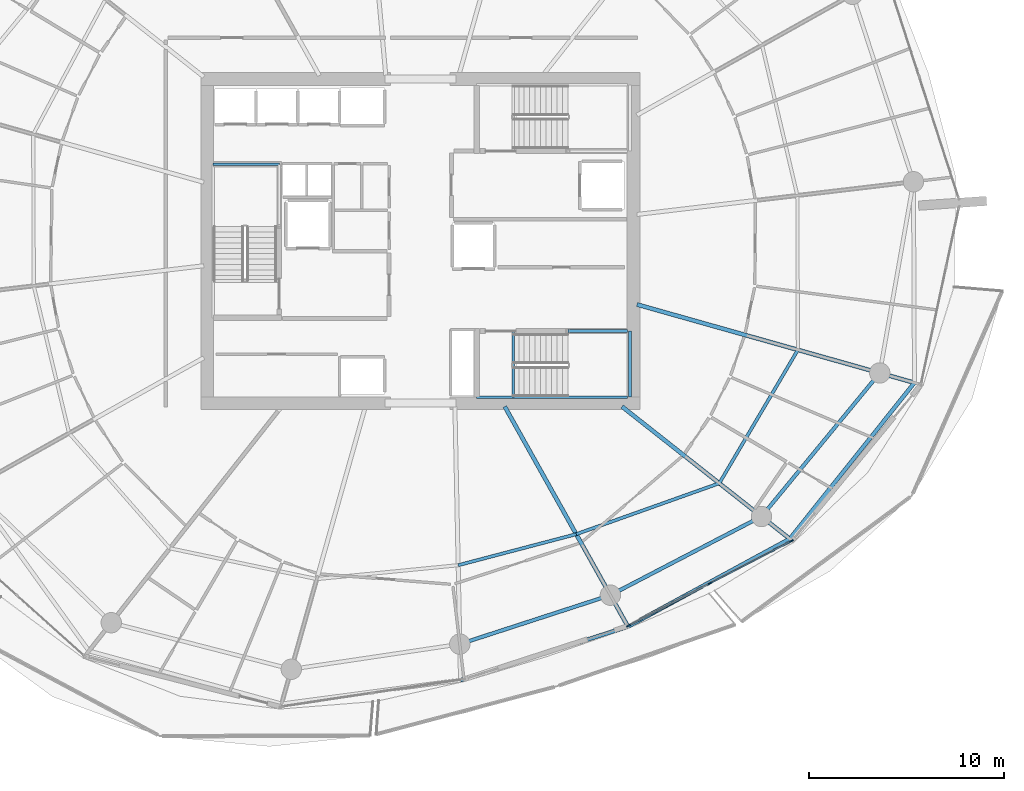
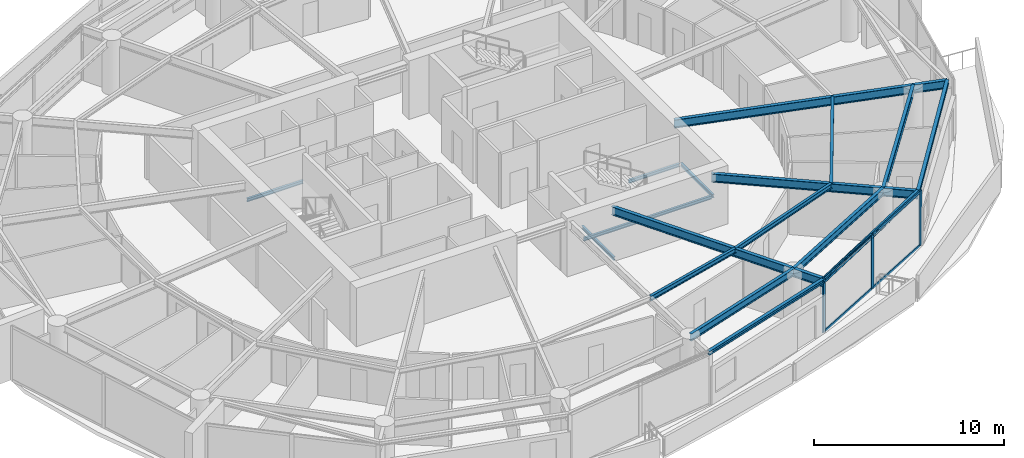
# One storey, part 6 of 20: 17 beams, 7 members, 1 element without a shape of its own.
"""IFC4 building model written with IfcOpenShell, lengths in metres."""

from ifc_helpers import new_model, si_unit, direction, frame, origin, origin_2d, place, context, subcontext, project, spatial, rectangle, i_section, extrude, material, layer, layer_set, material_profile, profile_set, type_object, element, aggregate, save


model = new_model("IFC4")

# Units and contexts
model_context = context("Model", 3, precision=1e-05, world=origin(), true_north=direction((0.0, 1.0)))
body_context = subcontext(model_context, "Body", "Model", "MODEL_VIEW")
ifc_project = project(units=[si_unit("LENGTHUNIT", "METRE"), si_unit("AREAUNIT", "SQUARE_METRE"), si_unit("VOLUMEUNIT", "CUBIC_METRE"), si_unit("PLANEANGLEUNIT", "RADIAN"), si_unit("MASSUNIT", "GRAM", prefix="KILO")], contexts=[model_context])

# Site, building, storey
site_placement = place(None, origin())
site = spatial("IfcSite", under=ifc_project, at=site_placement, CompositionType="ELEMENT")
building_placement = place(site_placement, origin())
building = spatial("IfcBuilding", under=site, at=building_placement, Name="Kazma Halo Residences", CompositionType="ELEMENT")
storey_placement = place(building_placement, frame((0.0, 0.0, 214.050048828125)))
storey = spatial("IfcBuildingStorey", under=building, at=storey_placement, Name="L54", CompositionType="ELEMENT", Elevation=214.050048828125)

# Beams
ifc_material_1 = material(Name="Steel S355", Category="steel")
ifc_material_profile_1 = material_profile(ifc_material_1, i_section(OverallWidth=0.201904296875, OverallDepth=0.2470703125, WebThickness=0.00732421875, FlangeThickness=0.010986328125, FilletRadius=0.011962890625, at=origin_2d()), Name="W250x49.1")
ifc_profile_set_1 = profile_set([ifc_material_profile_1], Name="Steel S355")
beam_type_1 = type_object("IfcBeamType", Name="BM-BAL-CANT", PredefinedType="BEAM", material=ifc_profile_set_1)
beam_1_placement = place(storey_placement, frame((50.48779296875, 19.45068359375, 3.37646484375), z_axis=(0.952538666424, 0.30441762263, 0.0), x_axis=(-0.30441762263, 0.952538666424, 0.0)))
element("IfcBeam", 1, at=beam_1_placement, inside=storey, type_object=beam_type_1, Name="L54 wave-balcony tie beam 12", PredefinedType="BEAM", context=body_context, shape_type="SweptSolid", body=[
    extrude(i_section(OverallWidth=0.201904296875, OverallDepth=0.2470703125, WebThickness=0.00732421875, FlangeThickness=0.010986328125, FilletRadius=0.011962890625, at=origin_2d()), origin(), (0.0, 0.0, 1.0), 9.029541015625),
])
beam_2_placement = place(storey_placement, frame((59.0888671875, 22.199462890625, 3.37646484375), z_axis=(0.878890557257, 0.477023467309, 0.0), x_axis=(-0.477023467309, 0.878890557257, 0.0)))
element("IfcBeam", 2, at=beam_2_placement, inside=storey, type_object=beam_type_1, Name="L54 wave-balcony tie beam 13", PredefinedType="BEAM", context=body_context, shape_type="SweptSolid", body=[
    extrude(i_section(OverallWidth=0.201904296875, OverallDepth=0.2470703125, WebThickness=0.00732421875, FlangeThickness=0.010986328125, FilletRadius=0.011962890625, at=origin_2d()), origin(), (0.0, 0.0, 1.0), 9.452880859375),
])
beam_3_placement = place(storey_placement, frame((67.39697265625, 26.708740234375, 3.37646484375), z_axis=(0.624195724924, 0.781268005864, 0.0), x_axis=(-0.781268005864, 0.624195724924, 0.0)))
element("IfcBeam", 3, at=beam_3_placement, inside=storey, type_object=beam_type_1, Name="L54 wave-balcony tie beam 14", PredefinedType="BEAM", context=body_context, shape_type="SweptSolid", body=[
    extrude(i_section(OverallWidth=0.201904296875, OverallDepth=0.2470703125, WebThickness=0.00732421875, FlangeThickness=0.010986328125, FilletRadius=0.011962890625, at=origin_2d()), origin(), (0.0, 0.0, 1.0), 10.258544921875),
])
ifc_material_profile_2 = material_profile(ifc_material_1, i_section(OverallWidth=0.208984375, OverallDepth=0.532958984375, WebThickness=0.01025390625, FlangeThickness=0.015625, FilletRadius=0.01611328125, at=origin_2d()), Name="W530x92")
ifc_profile_set_2 = profile_set([ifc_material_profile_2], Name="Steel S355")
beam_type_2 = type_object("IfcBeamType", Name="BM-RAD-W530", PredefinedType="BEAM", material=ifc_profile_set_2)
beam_4_placement = place(storey_placement, frame((52.76025390625, 33.5, 3.2333984375), z_axis=(0.488621736368, -0.872495729931, 0.0), x_axis=(0.872495729931, 0.488621736368, 0.0)))
element("IfcBeam", 4, at=beam_4_placement, inside=storey, type_object=beam_type_2, Name="L54 radial floor beam 13", PredefinedType="BEAM", context=body_context, shape_type="SweptSolid", body=[
    extrude(i_section(OverallWidth=0.208984375, OverallDepth=0.532958984375, WebThickness=0.01025390625, FlangeThickness=0.015625, FilletRadius=0.01611328125, at=origin_2d()), origin(), (0.0, 0.0, 1.0), 12.951904296875),
])
beam_5_placement = place(storey_placement, frame((58.7822265625, 33.5, 3.2333984375), z_axis=(0.785319521624, -0.619090662954, 0.0), x_axis=(0.619090662954, 0.785319521624, 0.0)))
element("IfcBeam", 5, at=beam_5_placement, inside=storey, type_object=beam_type_2, Name="L54 radial floor beam 14", PredefinedType="BEAM", context=body_context, shape_type="SweptSolid", body=[
    extrude(i_section(OverallWidth=0.208984375, OverallDepth=0.532958984375, WebThickness=0.01025390625, FlangeThickness=0.015625, FilletRadius=0.01611328125, at=origin_2d()), origin(), (0.0, 0.0, 1.0), 10.9697265625),
])
beam_6_placement = place(storey_placement, frame((59.550048828125, 38.74267578125, 3.2333984375), z_axis=(0.962449896911, -0.271459381741, 0.0), x_axis=(0.271459381741, 0.962449896911, 0.0)))
element("IfcBeam", 6, at=beam_6_placement, inside=storey, type_object=beam_type_2, Name="L54 radial floor beam 15", PredefinedType="BEAM", context=body_context, shape_type="SweptSolid", body=[
    extrude(i_section(OverallWidth=0.208984375, OverallDepth=0.532958984375, WebThickness=0.01025390625, FlangeThickness=0.015625, FilletRadius=0.01611328125, at=origin_2d()), origin(), (0.0, 0.0, 1.0), 14.80615234375),
])
ifc_material_profile_3 = material_profile(ifc_material_1, i_section(OverallWidth=0.1650390625, OverallDepth=0.31005859375, WebThickness=0.005859375, FlangeThickness=0.009765625, FilletRadius=0.011962890625, at=origin_2d()), Name="W310x38.7")
ifc_profile_set_3 = profile_set([ifc_material_profile_3], Name="Steel S355")
beam_type_3 = type_object("IfcBeamType", Name="BM-SEC-W310B", PredefinedType="JOIST", material=ifc_profile_set_3)
beam_7_placement = place(storey_placement, frame((50.366943359375, 25.3515625, 3.344970703125), z_axis=(0.967135034863, 0.254263297273, 0.0), x_axis=(-0.254263297273, 0.967135034863, 0.0)))
element("IfcBeam", 7, at=beam_7_placement, inside=storey, type_object=beam_type_3, Name="L54 circumferential floor joist 12", PredefinedType="JOIST", context=body_context, shape_type="SweptSolid", body=[
    extrude(i_section(OverallWidth=0.1650390625, OverallDepth=0.31005859375, WebThickness=0.005859375, FlangeThickness=0.009765625, FilletRadius=0.011962890625, at=origin_2d()), origin(), (0.0, 0.0, 1.0), 6.27001953125),
])
beam_8_placement = place(storey_placement, frame((56.430908203125, 26.94580078125, 3.344970703125), z_axis=(0.942107492186, 0.335311009612, 0.0), x_axis=(-0.335311009612, 0.942107492186, 0.0)))
element("IfcBeam", 8, at=beam_8_placement, inside=storey, type_object=beam_type_3, Name="L54 circumferential floor joist 13", PredefinedType="JOIST", context=body_context, shape_type="SweptSolid", body=[
    extrude(i_section(OverallWidth=0.1650390625, OverallDepth=0.31005859375, WebThickness=0.005859375, FlangeThickness=0.009765625, FilletRadius=0.011962890625, at=origin_2d()), origin(), (0.0, 0.0, 1.0), 7.79931640625),
])
beam_9_placement = place(storey_placement, frame((63.77880859375, 29.56103515625, 3.344970703125), z_axis=(0.507638586433, 0.861570116453, 0.0), x_axis=(-0.861570116453, 0.507638586433, 0.0)))
element("IfcBeam", 9, at=beam_9_placement, inside=storey, type_object=beam_type_3, Name="L54 circumferential floor joist 14", PredefinedType="JOIST", context=body_context, shape_type="SweptSolid", body=[
    extrude(i_section(OverallWidth=0.1650390625, OverallDepth=0.31005859375, WebThickness=0.005859375, FlangeThickness=0.009765625, FilletRadius=0.011962890625, at=origin_2d()), origin(), (0.0, 0.0, 1.0), 7.951171875),
])
ifc_material_profile_4 = material_profile(ifc_material_1, i_section(OverallWidth=0.18994140625, OverallDepth=0.45703125, WebThickness=0.009033203125, FlangeThickness=0.014404296875, FilletRadius=0.01611328125, at=origin_2d()), Name="W460x74")
ifc_profile_set_4 = profile_set([ifc_material_profile_4], Name="Steel S355")
beam_type_4 = type_object("IfcBeamType", Name="BM-SPN-W460", PredefinedType="BEAM", material=ifc_profile_set_4)
beam_10_placement = place(storey_placement, frame((50.449951171875, 21.30029296875, 3.271484375), z_axis=(0.951048627281, 0.30904127321, 0.0), x_axis=(-0.30904127321, 0.951048627281, 0.0)))
element("IfcBeam", 10, at=beam_10_placement, inside=storey, type_object=beam_type_4, Name="L54 perimeter ring beam 12", PredefinedType="BEAM", context=body_context, shape_type="SweptSolid", body=[
    extrude(i_section(OverallWidth=0.18994140625, OverallDepth=0.45703125, WebThickness=0.009033203125, FlangeThickness=0.014404296875, FilletRadius=0.01611328125, at=origin_2d()), origin(), (0.0, 0.0, 1.0), 8.133056640625),
])
beam_11_placement = place(storey_placement, frame((58.184814453125, 23.813720703125, 3.271484375), z_axis=(0.886961243394, 0.461843861838, 0.0), x_axis=(-0.461843861838, 0.886961243394, 0.0)))
element("IfcBeam", 11, at=beam_11_placement, inside=storey, type_object=beam_type_4, Name="L54 perimeter ring beam 13", PredefinedType="BEAM", context=body_context, shape_type="SweptSolid", body=[
    extrude(i_section(OverallWidth=0.18994140625, OverallDepth=0.45703125, WebThickness=0.009033203125, FlangeThickness=0.014404296875, FilletRadius=0.01611328125, at=origin_2d()), origin(), (0.0, 0.0, 1.0), 8.748046875),
])
beam_12_placement = place(storey_placement, frame((65.944091796875, 27.85400390625, 3.271484375), z_axis=(0.63601715545, 0.771674917289, 0.0), x_axis=(-0.771674917289, 0.63601715545, 0.0)))
element("IfcBeam", 12, at=beam_12_placement, inside=storey, type_object=beam_type_4, Name="L54 perimeter ring beam 14", PredefinedType="BEAM", context=body_context, shape_type="SweptSolid", body=[
    extrude(i_section(OverallWidth=0.18994140625, OverallDepth=0.45703125, WebThickness=0.009033203125, FlangeThickness=0.014404296875, FilletRadius=0.01611328125, at=origin_2d()), origin(), (0.0, 0.0, 1.0), 9.552734375),
])
ifc_material_profile_5 = material_profile(ifc_material_1, i_section(OverallWidth=0.133056640625, OverallDepth=0.20703125, WebThickness=0.005859375, FlangeThickness=0.00830078125, FilletRadius=0.010009765625, at=origin_2d()), Name="W200x26.6")
ifc_profile_set_5 = profile_set([ifc_material_profile_5], Name="Steel S355")
beam_type_5 = type_object("IfcBeamType", Name="BM-TRIM-W200", PredefinedType="BEAM", material=ifc_profile_set_5)
beam_13_placement = place(storey_placement, frame((53.199951171875, 34.0, -0.360107421875), z_axis=(0.0, 1.0, 0.0), x_axis=(-1.0, 0.0, 0.0)))
element("IfcBeam", 13, at=beam_13_placement, inside=storey, type_object=beam_type_5, Name="L54 ST-03 floor landing support beam", PredefinedType="BEAM", context=body_context, shape_type="SweptSolid", body=[
    extrude(i_section(OverallWidth=0.133056640625, OverallDepth=0.20703125, WebThickness=0.005859375, FlangeThickness=0.00830078125, FilletRadius=0.010009765625, at=origin_2d()), origin(), (0.0, 0.0, 1.0), 3.3798828125),
])
beam_14_placement = place(storey_placement, frame((37.780029296875, 45.93994140625, 1.570068359375), z_axis=(1.0, 0.0, 0.0), x_axis=(0.0, 1.0, 0.0)))
element("IfcBeam", 14, at=beam_14_placement, inside=storey, type_object=beam_type_5, Name="L54 ST-01 landing end wall ledger", PredefinedType="BEAM", context=body_context, shape_type="SweptSolid", body=[
    extrude(i_section(OverallWidth=0.133056640625, OverallDepth=0.20703125, WebThickness=0.005859375, FlangeThickness=0.00830078125, FilletRadius=0.010009765625, at=origin_2d()), origin(), (0.0, 0.0, 1.0), 3.39990234375),
])
beam_15_placement = place(storey_placement, frame((51.31005859375, 33.97998046875, 1.570068359375), z_axis=(1.0, 0.0, 0.0), x_axis=(0.0, 1.0, 0.0)))
element("IfcBeam", 15, at=beam_15_placement, inside=storey, type_object=beam_type_5, Name="L54 ST-03 landing south wall ledger", PredefinedType="BEAM", context=body_context, shape_type="SweptSolid", body=[
    extrude(i_section(OverallWidth=0.133056640625, OverallDepth=0.20703125, WebThickness=0.005859375, FlangeThickness=0.00830078125, FilletRadius=0.010009765625, at=origin_2d()), origin(), (0.0, 0.0, 1.0), 7.760009765625),
])
beam_16_placement = place(storey_placement, frame((56.0, 37.3798828125, 1.570068359375), z_axis=(1.0, 0.0, 0.0), x_axis=(0.0, 1.0, 0.0)))
element("IfcBeam", 16, at=beam_16_placement, inside=storey, type_object=beam_type_5, Name="L54 ST-03 landing north wall ledger", PredefinedType="BEAM", context=body_context, shape_type="SweptSolid", body=[
    extrude(i_section(OverallWidth=0.133056640625, OverallDepth=0.20703125, WebThickness=0.005859375, FlangeThickness=0.00830078125, FilletRadius=0.010009765625, at=origin_2d()), origin(), (0.0, 0.0, 1.0), 3.070068359375),
])
beam_17_placement = place(storey_placement, frame((59.18994140625, 33.97998046875, 1.570068359375), z_axis=(0.0, 1.0, 0.0), x_axis=(-1.0, 0.0, 0.0)))
element("IfcBeam", 17, at=beam_17_placement, inside=storey, type_object=beam_type_5, Name="L54 ST-03 landing end wall ledger", PredefinedType="BEAM", context=body_context, shape_type="SweptSolid", body=[
    extrude(i_section(OverallWidth=0.133056640625, OverallDepth=0.20703125, WebThickness=0.005859375, FlangeThickness=0.00830078125, FilletRadius=0.010009765625, at=origin_2d()), origin(), (0.0, 0.0, 1.0), 3.39990234375),
])

# Curtain wall, members
ifc_material_2 = material(Name="Aluminium AW-6063 T6 and Triple-Silver Low-E Glass", Category="aluminium")
ifc_layer = layer(ifc_material_2, 0.219970703125)
ifc_layer_set = layer_set([ifc_layer], Name="Aluminium AW-6063 T6 and Triple-Silver Low-E Glass")
curtain_wall_type = type_object("IfcCurtainWallType", Name="CW-SYS-4", PredefinedType="NOTDEFINED", material=ifc_layer_set)
curtain_wall_placement = place(storey_placement, origin())
curtain_wall = element("IfcCurtainWall", 18, at=curtain_wall_placement, inside=storey, type_object=curtain_wall_type, Name="L54 unitised curtain wall B13", PredefinedType="NOTDEFINED")
ifc_material_3 = material(Name="Aluminium AW-6063 T6", Category="aluminium")
ifc_material_profile_6 = material_profile(ifc_material_3, rectangle(XDim=0.074951171875, YDim=0.219970703125, at=origin_2d()), Name="CWM-75x220")
ifc_profile_set_6 = profile_set([ifc_material_profile_6], Name="Aluminium AW-6063 T6")
member_type_1 = type_object("IfcMemberType", Name="CW-SYS-4-MUL", PredefinedType="MULLION", material=ifc_profile_set_6)
member_1_placement = place(storey_placement, frame((59.105712890625, 22.24609375, 0.0), z_axis=(0.0, 0.0, 1.0), x_axis=(-0.460873851097, 0.887465657575, 0.0)))
member_1 = element("IfcMember", 19, at=member_1_placement, type_object=member_type_1, Name="CWS-4 mullion 1", PredefinedType="MULLION", context=body_context, shape_type="SweptSolid", body=[
    extrude(rectangle(XDim=0.074951171875, YDim=0.219970703125, at=origin_2d()), origin(), (0.0, 0.0, 1.0), 3.5),
])
member_2_placement = place(storey_placement, frame((63.294677734375, 24.421630859375, 0.0), z_axis=(0.0, 0.0, 1.0), x_axis=(-0.460873851097, 0.887465657575, 0.0)))
member_2 = element("IfcMember", 20, at=member_2_placement, type_object=member_type_1, Name="CWS-4 mullion 2", PredefinedType="MULLION", context=body_context, shape_type="SweptSolid", body=[
    extrude(rectangle(XDim=0.074951171875, YDim=0.219970703125, at=origin_2d()), origin(), (0.0, 0.0, 1.0), 3.5),
])
member_3_placement = place(storey_placement, frame((67.4833984375, 26.596923828125, 0.0), z_axis=(0.0, 0.0, 1.0), x_axis=(-0.460873851097, 0.887465657575, 0.0)))
member_3 = element("IfcMember", 21, at=member_3_placement, type_object=member_type_1, Name="CWS-4 mullion 3", PredefinedType="MULLION", context=body_context, shape_type="SweptSolid", body=[
    extrude(rectangle(XDim=0.074951171875, YDim=0.219970703125, at=origin_2d()), origin(), (0.0, 0.0, 1.0), 3.5),
])
ifc_material_profile_7 = material_profile(ifc_material_3, rectangle(XDim=0.074951171875, YDim=0.1650390625, at=origin_2d()), Name="CWT-75x165")
ifc_profile_set_7 = profile_set([ifc_material_profile_7], Name="Aluminium AW-6063 T6")
member_type_2 = type_object("IfcMemberType", Name="CW-SYS-4-TRN", PredefinedType="USERDEFINED", material=ifc_profile_set_7)
member_4_placement = place(storey_placement, frame((59.138916015625, 22.263427734375, 0.037353515625), z_axis=(0.887457630519, 0.460889307789, 0.0), x_axis=(-0.460889307789, 0.887457630519, 0.0)))
member_4 = element("IfcMember", 22, at=member_4_placement, type_object=member_type_2, Name="CWS-4 transom 1.1", ObjectType="TRANSOM", PredefinedType="USERDEFINED", context=body_context, shape_type="SweptSolid", body=[
    extrude(rectangle(XDim=0.074951171875, YDim=0.1650390625, at=origin_2d()), origin(), (0.0, 0.0, 1.0), 4.64501953125),
])
member_5_placement = place(storey_placement, frame((59.138916015625, 22.263427734375, 3.46240234375), z_axis=(0.887457630519, 0.460889307789, 0.0), x_axis=(-0.460889307789, 0.887457630519, 0.0)))
member_5 = element("IfcMember", 23, at=member_5_placement, type_object=member_type_2, Name="CWS-4 transom 1.2", ObjectType="TRANSOM", PredefinedType="USERDEFINED", context=body_context, shape_type="SweptSolid", body=[
    extrude(rectangle(XDim=0.074951171875, YDim=0.1650390625, at=origin_2d()), origin(), (0.0, 0.0, 1.0), 4.64501953125),
])
member_6_placement = place(storey_placement, frame((63.327880859375, 24.438720703125, 0.037353515625), z_axis=(0.887457630519, 0.460889307789, 0.0), x_axis=(-0.460889307789, 0.887457630519, 0.0)))
member_6 = element("IfcMember", 24, at=member_6_placement, type_object=member_type_2, Name="CWS-4 transom 2.1", ObjectType="TRANSOM", PredefinedType="USERDEFINED", context=body_context, shape_type="SweptSolid", body=[
    extrude(rectangle(XDim=0.074951171875, YDim=0.1650390625, at=origin_2d()), origin(), (0.0, 0.0, 1.0), 4.64501953125),
])
member_7_placement = place(storey_placement, frame((63.327880859375, 24.438720703125, 3.46240234375), z_axis=(0.887457630519, 0.460889307789, 0.0), x_axis=(-0.460889307789, 0.887457630519, 0.0)))
member_7 = element("IfcMember", 25, at=member_7_placement, type_object=member_type_2, Name="CWS-4 transom 2.2", ObjectType="TRANSOM", PredefinedType="USERDEFINED", context=body_context, shape_type="SweptSolid", body=[
    extrude(rectangle(XDim=0.074951171875, YDim=0.1650390625, at=origin_2d()), origin(), (0.0, 0.0, 1.0), 4.64501953125),
])
aggregate(curtain_wall, [member_1, member_2, member_3, member_4, member_5, member_6, member_7])

save(model, "model.ifc")
